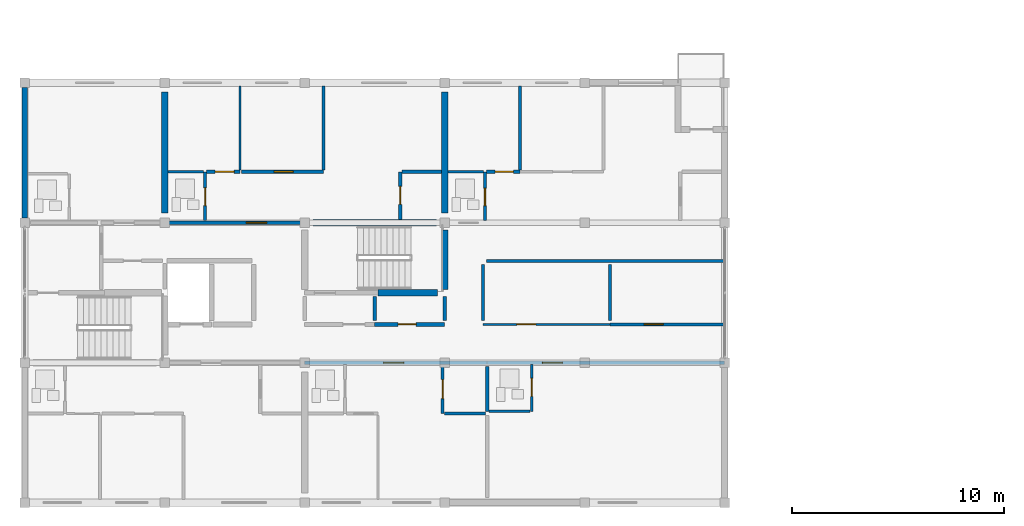
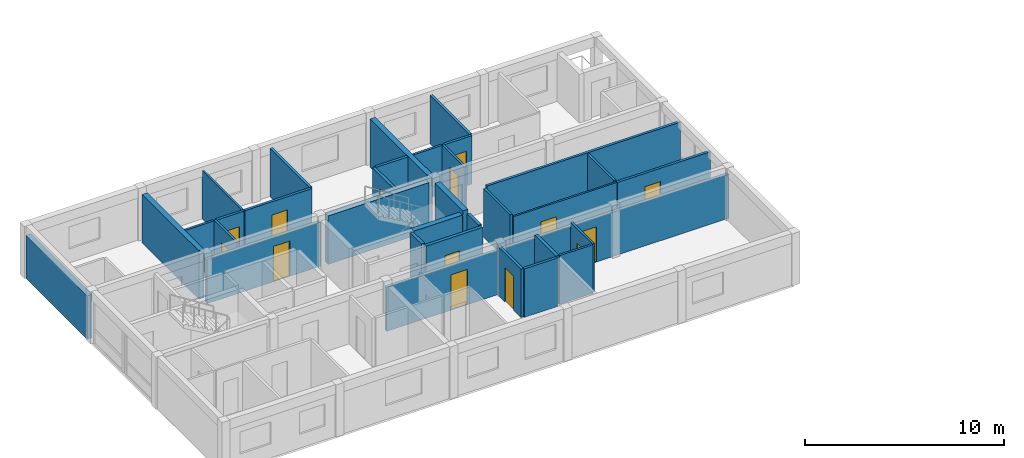
# One storey, part 21 of 34: 34 walls, 14 doors, 14 openings.
"""IFC4 building model written with IfcOpenShell, lengths in metres."""

from ifc_helpers import new_model, si_unit, direction, frame, frame_2d, origin, place, context, subcontext, project, spatial, rectangle, extrude, material, layer, layer_set, type_object, element, fill, save


model = new_model("IFC4")

# Units and contexts
model_context = context("Model", 3, precision=1e-05, world=origin(), true_north=direction((0.0, 1.0)))
body_context = subcontext(model_context, "Body", "Model", "MODEL_VIEW")
ifc_project = project(units=[si_unit("LENGTHUNIT", "METRE"), si_unit("AREAUNIT", "SQUARE_METRE"), si_unit("VOLUMEUNIT", "CUBIC_METRE"), si_unit("PLANEANGLEUNIT", "RADIAN"), si_unit("MASSUNIT", "GRAM", prefix="KILO")], contexts=[model_context])

# Site, building, storey
site_placement = place(None, origin())
site = spatial("IfcSite", under=ifc_project, at=site_placement, CompositionType="ELEMENT")
building_placement = place(site_placement, origin())
building = spatial("IfcBuilding", under=site, at=building_placement, Name="Kernevlak Ridge Housing Community", CompositionType="ELEMENT")
storey_placement = place(building_placement, frame((0.0, 0.0, 34.0)))
storey = spatial("IfcBuildingStorey", under=building, at=storey_placement, Name="L10", CompositionType="ELEMENT", Elevation=34.0)

# Wall
ifc_material_1 = material(Name="Concrete block masonry M10", Category="masonry")
ifc_layer_1 = layer(ifc_material_1, 0.280029296875, Name="Concrete block masonry M10")
ifc_layer_set_1 = layer_set([ifc_layer_1], Name="Concrete block masonry M10")
wall_type_1 = type_object("IfcWallType", Name="EW-03", PredefinedType="STANDARD", material=ifc_layer_set_1)
wall_1_placement = place(storey_placement, frame((15.60009765625, 89.425048828125, 0.0), z_axis=(0.0, 0.0, 1.0), x_axis=(0.0, 1.0, 0.0)))
element("IfcWall", 1, at=wall_1_placement, inside=storey, type_object=wall_type_1, Name="Exterior wall EW-03 L10 170", PredefinedType="STANDARD", context=body_context, shape_type="SweptSolid", body=[
    extrude(rectangle(XDim=6.14990234375, YDim=0.280029296875, at=frame_2d((3.074951171875, 0.0))), origin(), (0.0, 0.0, 1.0), 2.64990234375),
])

# Wall, opening, door
ifc_layer_2 = layer(ifc_material_1, 0.175048828125, Name="Concrete block masonry M10")
ifc_layer_set_2 = layer_set([ifc_layer_2], Name="Concrete block masonry M10")
wall_type_2 = type_object("IfcWallType", Name="PW-02", PredefinedType="PARTITIONING", material=ifc_layer_set_2)
wall_2_placement = place(storey_placement, frame((32.10009765625, 84.39990234375, 0.0), z_axis=(0.0, 0.0, 1.0), x_axis=(1.0, 0.0, 0.0)))
wall_2 = element("IfcWall", 2, at=wall_2_placement, inside=storey, type_object=wall_type_2, Name="Interior wall PW-02 WAL-INT-L10-0642", PredefinedType="PARTITIONING", context=body_context, shape_type="SweptSolid", body=[
    extrude(rectangle(XDim=3.2998046875, YDim=0.175048828125, at=frame_2d((1.64990234375, 0.0))), origin(), (0.0, 0.0, 1.0), 2.969970703125),
])
opening_1_placement = place(wall_2_placement, frame((1.10009765625, 0.0, 0.0)))
opening_1 = element("IfcOpeningElement", 3, at=opening_1_placement, cuts=wall_2, Name="Opening D324", PredefinedType="OPENING", context=body_context, shape_type="SweptSolid", body=[
    extrude(rectangle(XDim=0.85009765625, YDim=2.0, at=frame_2d((0.425048828125, 1.0))), frame((0.0, 0.097412109375, 0.0), z_axis=(0.0, -1.0, 0.0), x_axis=(1.0, 0.0, 0.0)), (0.0, 0.0, 1.0), 0.195068359375),
])
ifc_material_2 = material(Name="Fire-rated sheet steel leaf", Category="steel")
door_type_1 = type_object("IfcDoorType", Name="DT-07", OperationType="NOTDEFINED", PredefinedType="DOOR", material=ifc_material_2)
door_1_placement = place(opening_1_placement, origin())
door_1 = element("IfcDoor", 4, at=door_1_placement, inside=storey, type_object=door_type_1, Name="Block A Cleaner store door D324", OperationType="SINGLE_SWING_RIGHT", OverallHeight=2.0, OverallWidth=0.85009765625, PredefinedType="DOOR", context=body_context, shape_type="SweptSolid", body=[
    extrude(rectangle(XDim=0.85009765625, YDim=2.0, at=frame_2d((0.425048828125, 1.0))), frame((0.0, 0.02490234375, 0.0), z_axis=(0.0, -1.0, 0.0), x_axis=(1.0, 0.0, 0.0)), (0.0, 0.0, 1.0), 0.050048828125),
])
fill(opening_1, door_1)

# Walls
for number, where, z_axis, x_axis, name in (
    (5, (32.10009765625, 84.580078125, 0.0), (0.0, 0.0, 1.0), (0.0, 1.0, 0.0), "Interior wall PW-02 WAL-INT-L10-0644"),
    (6, (35.39990234375, 84.580078125, 0.0), (0.0, 0.0, 1.0), (0.0, 1.0, 0.0), "Interior wall PW-02 WAL-INT-L10-0645"),
):
    element("IfcWall", number, at=place(storey_placement, frame(where, z_axis=z_axis, x_axis=x_axis)), inside=storey, type_object=wall_type_2, Name=name, PredefinedType="PARTITIONING", context=body_context, shape_type="SweptSolid", body=[
        extrude(rectangle(XDim=1.139892578125, YDim=0.175048828125, at=frame_2d((0.56982421875, 0.0))), origin(), (0.0, 0.0, 1.0), 2.969970703125),
    ])

# Wall, opening, door
wall_3_placement = place(storey_placement, frame((28.800048828125, 82.60009765625, 0.0), z_axis=(0.0, 0.0, 1.0), x_axis=(1.0, 0.0, 0.0)))
wall_3 = element("IfcWall", 7, at=wall_3_placement, inside=storey, type_object=wall_type_2, Name="Interior wall PW-02 WAL-INT-L10-0660", PredefinedType="PARTITIONING", context=body_context, shape_type="SweptSolid", body=[
    extrude(rectangle(XDim=8.599853515625, YDim=0.175048828125, at=frame_2d((4.2998046875, 0.0))), origin(), (0.0, 0.0, 1.0), 2.699951171875),
])
opening_2_placement = place(wall_3_placement, frame((3.72509765625, 0.0, 0.0)))
opening_2 = element("IfcOpeningElement", 8, at=opening_2_placement, cuts=wall_3, Name="Opening D332", PredefinedType="OPENING", context=body_context, shape_type="SweptSolid", body=[
    extrude(rectangle(XDim=0.949951171875, YDim=2.159912109375, at=frame_2d((0.47509765625, 1.080078125))), frame((0.0, 0.097412109375, 0.0), z_axis=(0.0, -1.0, 0.0), x_axis=(1.0, 0.0, 0.0)), (0.0, 0.0, 1.0), 0.195068359375),
])
ifc_material_3 = material(Name="Hardwood timber solid-core fire leaf", Category="wood")
door_type_2 = type_object("IfcDoorType", Name="DT-02", OperationType="NOTDEFINED", PredefinedType="DOOR", material=ifc_material_3)
door_2_placement = place(opening_2_placement, origin())
door_2 = element("IfcDoor", 9, at=door_2_placement, inside=storey, type_object=door_type_2, Name="Flat A1012 entrance fire door D332", OperationType="SINGLE_SWING_RIGHT", OverallHeight=2.159912109375, OverallWidth=0.949951171875, PredefinedType="DOOR", context=body_context, shape_type="SweptSolid", body=[
    extrude(rectangle(XDim=0.949951171875, YDim=2.159912109375, at=frame_2d((0.47509765625, 1.080078125))), frame((0.0, 0.02490234375, 0.0), z_axis=(0.0, -1.0, 0.0), x_axis=(1.0, 0.0, 0.0)), (0.0, 0.0, 1.0), 0.050048828125),
])
fill(opening_2, door_2)

# Wall
wall_4_placement = place(storey_placement, frame((37.39990234375, 82.419921875, 0.0), z_axis=(0.0, 0.0, 1.0), x_axis=(0.0, -1.0, 0.0)))
element("IfcWall", 10, at=wall_4_placement, inside=storey, type_object=wall_type_2, Name="Interior wall PW-02 WAL-INT-L10-0667", PredefinedType="PARTITIONING", context=body_context, shape_type="SweptSolid", body=[
    extrude(rectangle(XDim=2.13232421875, YDim=0.175048828125, at=frame_2d((1.066162109375, 0.0))), origin(), (0.0, 0.0, 1.0), 2.969970703125),
])

# Wall, opening, door
wall_5_placement = place(storey_placement, frame((37.39990234375, 82.60009765625, 0.0), z_axis=(0.0, 0.0, 1.0), x_axis=(1.0, 0.0, 0.0)))
wall_5 = element("IfcWall", 11, at=wall_5_placement, inside=storey, type_object=wall_type_2, Name="Interior wall PW-02 WAL-INT-L10-0668", PredefinedType="PARTITIONING", context=body_context, shape_type="SweptSolid", body=[
    extrude(rectangle(XDim=11.2001953125, YDim=0.175048828125, at=frame_2d((5.60009765625, 0.0))), origin(), (0.0, 0.0, 1.0), 2.699951171875),
])
opening_3_placement = place(wall_5_placement, frame((2.60009765625, 0.0, 0.0)))
opening_3 = element("IfcOpeningElement", 12, at=opening_3_placement, cuts=wall_5, Name="Opening D336", PredefinedType="OPENING", context=body_context, shape_type="SweptSolid", body=[
    extrude(rectangle(XDim=0.949951171875, YDim=2.159912109375, at=frame_2d((0.47509765625, 1.080078125))), frame((0.0, 0.097412109375, 0.0), z_axis=(0.0, -1.0, 0.0), x_axis=(1.0, 0.0, 0.0)), (0.0, 0.0, 1.0), 0.195068359375),
])
door_3_placement = place(opening_3_placement, origin())
door_3 = element("IfcDoor", 13, at=door_3_placement, inside=storey, type_object=door_type_2, Name="Flat A1013 entrance fire door D336", OperationType="SINGLE_SWING_RIGHT", OverallHeight=2.159912109375, OverallWidth=0.949951171875, PredefinedType="DOOR", context=body_context, shape_type="SweptSolid", body=[
    extrude(rectangle(XDim=0.949951171875, YDim=2.159912109375, at=frame_2d((0.47509765625, 1.080078125))), frame((0.0, 0.02490234375, 0.0), z_axis=(0.0, -1.0, 0.0), x_axis=(1.0, 0.0, 0.0)), (0.0, 0.0, 1.0), 0.050048828125),
])
fill(opening_3, door_3)

wall_6_placement = place(storey_placement, frame((22.199951171875, 89.199951171875, 0.0), z_axis=(0.0, 0.0, 1.0), x_axis=(1.0, 0.0, 0.0)))
wall_6 = element("IfcWall", 14, at=wall_6_placement, inside=storey, type_object=wall_type_2, Name="Interior wall PW-02 WAL-INT-L10-0675", PredefinedType="PARTITIONING", context=body_context, shape_type="SweptSolid", body=[
    extrude(rectangle(XDim=6.60009765625, YDim=0.175048828125, at=frame_2d((3.300048828125, 0.0))), origin(), (0.0, 0.0, 1.0), 2.699951171875),
])
opening_4_placement = place(wall_6_placement, frame((3.85009765625, 0.0, 0.0)))
opening_4 = element("IfcOpeningElement", 15, at=opening_4_placement, cuts=wall_6, Name="Opening D340", PredefinedType="OPENING", context=body_context, shape_type="SweptSolid", body=[
    extrude(rectangle(XDim=0.949951171875, YDim=2.159912109375, at=frame_2d((0.47509765625, 1.080078125))), frame((0.0, 0.097412109375, 0.0), z_axis=(0.0, -1.0, 0.0), x_axis=(1.0, 0.0, 0.0)), (0.0, 0.0, 1.0), 0.195068359375),
])
door_4_placement = place(opening_4_placement, origin())
door_4 = element("IfcDoor", 16, at=door_4_placement, inside=storey, type_object=door_type_2, Name="Flat A1022 entrance fire door D340", OperationType="SINGLE_SWING_RIGHT", OverallHeight=2.159912109375, OverallWidth=0.949951171875, PredefinedType="DOOR", context=body_context, shape_type="SweptSolid", body=[
    extrude(rectangle(XDim=0.949951171875, YDim=2.159912109375, at=frame_2d((0.47509765625, 1.080078125))), frame((0.0, 0.02490234375, 0.0), z_axis=(0.0, -1.0, 0.0), x_axis=(1.0, 0.0, 0.0)), (0.0, 0.0, 1.0), 0.050048828125),
])
fill(opening_4, door_4)

ifc_layer_3 = layer(ifc_material_1, 0.14501953125, Name="Concrete block masonry M10")
ifc_layer_set_3 = layer_set([ifc_layer_3], Name="Concrete block masonry M10")
wall_type_3 = type_object("IfcWallType", Name="PW-03", PredefinedType="PARTITIONING", material=ifc_layer_set_3)
wall_7_placement = place(storey_placement, frame((43.199951171875, 84.39990234375, 0.0), z_axis=(0.0, 0.0, 1.0), x_axis=(1.0, 0.0, 0.0)))
wall_7 = element("IfcWall", 17, at=wall_7_placement, inside=storey, type_object=wall_type_3, Name="Interior wall PW-03 WAL-INT-L10-0647", PredefinedType="PARTITIONING", context=body_context, shape_type="SweptSolid", body=[
    extrude(rectangle(XDim=5.400146484375, YDim=0.14501953125, at=frame_2d((2.7001953125, 0.0))), origin(), (0.0, 0.0, 1.0), 2.969970703125),
])
opening_5_placement = place(wall_7_placement, frame((1.60009765625, 0.0, 0.0)))
opening_5 = element("IfcOpeningElement", 18, at=opening_5_placement, cuts=wall_7, Name="Opening D326", PredefinedType="OPENING", context=body_context, shape_type="SweptSolid", body=[
    extrude(rectangle(XDim=0.89990234375, YDim=2.159912109375, at=frame_2d((0.449951171875, 1.080078125))), frame((0.0, 0.08251953125, 0.0), z_axis=(0.0, -1.0, 0.0), x_axis=(1.0, 0.0, 0.0)), (0.0, 0.0, 1.0), 0.1650390625),
])
ifc_material_4 = material(Name="Hardwood timber leaf", Category="wood")
door_type_3 = type_object("IfcDoorType", Name="DT-22", OperationType="NOTDEFINED", PredefinedType="DOOR", material=ifc_material_4)
door_5_placement = place(opening_5_placement, origin())
door_5 = element("IfcDoor", 19, at=door_5_placement, inside=storey, type_object=door_type_3, Name="Block A Study room door D326", OperationType="SINGLE_SWING_RIGHT", OverallHeight=2.159912109375, OverallWidth=0.89990234375, PredefinedType="DOOR", context=body_context, shape_type="SweptSolid", body=[
    extrude(rectangle(XDim=0.89990234375, YDim=2.159912109375, at=frame_2d((0.449951171875, 1.080078125))), frame((0.0, 0.02490234375, 0.0), z_axis=(0.0, -1.0, 0.0), x_axis=(1.0, 0.0, 0.0)), (0.0, 0.0, 1.0), 0.050048828125),
])
fill(opening_5, door_5)

# Walls
wall_8_placement = place(storey_placement, frame((43.199951171875, 84.580078125, 0.0), z_axis=(0.0, 0.0, 1.0), x_axis=(0.0, 1.0, 0.0)))
element("IfcWall", 20, at=wall_8_placement, inside=storey, type_object=wall_type_3, Name="Interior wall PW-03 WAL-INT-L10-0648", PredefinedType="PARTITIONING", context=body_context, shape_type="SweptSolid", body=[
    extrude(rectangle(XDim=2.639892578125, YDim=0.14501953125, at=frame_2d((1.31982421875, 0.0))), origin(), (0.0, 0.0, 1.0), 2.969970703125),
])
wall_9_placement = place(storey_placement, frame((37.3798828125, 87.39990234375, 0.0), z_axis=(0.0, 0.0, 1.0), x_axis=(1.0, 0.0, 0.0)))
element("IfcWall", 21, at=wall_9_placement, inside=storey, type_object=wall_type_3, Name="Interior wall PW-03 WAL-INT-L10-0649", PredefinedType="PARTITIONING", context=body_context, shape_type="SweptSolid", body=[
    extrude(rectangle(XDim=11.2001953125, YDim=0.14501953125, at=frame_2d((5.60009765625, 0.0))), origin(), (0.0, 0.0, 1.0), 2.969970703125),
])
wall_10_placement = place(storey_placement, frame((37.199951171875, 84.580078125, 0.0), z_axis=(0.0, 0.0, 1.0), x_axis=(0.0, 1.0, 0.0)))
element("IfcWall", 22, at=wall_10_placement, inside=storey, type_object=wall_type_3, Name="Interior wall PW-03 WAL-INT-L10-0650", PredefinedType="PARTITIONING", context=body_context, shape_type="SweptSolid", body=[
    extrude(rectangle(XDim=2.639892578125, YDim=0.14501953125, at=frame_2d((1.31982421875, 0.0))), origin(), (0.0, 0.0, 1.0), 2.969970703125),
])

# Wall, opening, door
wall_11_placement = place(storey_placement, frame((24.172607421875, 91.60009765625, 0.0), z_axis=(0.0, 0.0, 1.0), x_axis=(1.0, 0.0, 0.0)))
wall_11 = element("IfcWall", 23, at=wall_11_placement, inside=storey, type_object=wall_type_3, Name="Interior wall PW-03 WAL-INT-L10-0680", PredefinedType="PARTITIONING", context=body_context, shape_type="SweptSolid", body=[
    extrude(rectangle(XDim=1.577392578125, YDim=0.14501953125, at=frame_2d((0.78857421875, 0.0))), origin(), (0.0, 0.0, 1.0), 2.969970703125),
])
opening_6_placement = place(wall_11_placement, frame((0.39990234375, 0.0, 0.0)))
opening_6 = element("IfcOpeningElement", 24, at=opening_6_placement, cuts=wall_11, Name="Opening D343", PredefinedType="OPENING", context=body_context, shape_type="SweptSolid", body=[
    extrude(rectangle(XDim=0.89990234375, YDim=2.10009765625, at=frame_2d((0.449951171875, 1.050048828125))), frame((0.0, 0.08251953125, 0.0), z_axis=(0.0, -1.0, 0.0), x_axis=(1.0, 0.0, 0.0)), (0.0, 0.0, 1.0), 0.1650390625),
])
door_type_4 = type_object("IfcDoorType", Name="DT-21", OperationType="NOTDEFINED", PredefinedType="DOOR", material=ifc_material_4)
door_6_placement = place(opening_6_placement, origin())
door_6 = element("IfcDoor", 25, at=door_6_placement, inside=storey, type_object=door_type_4, Name="Flat A1022 bedroom door D343", OperationType="SINGLE_SWING_LEFT", OverallHeight=2.10009765625, OverallWidth=0.89990234375, PredefinedType="DOOR", context=body_context, shape_type="SweptSolid", body=[
    extrude(rectangle(XDim=0.89990234375, YDim=2.10009765625, at=frame_2d((0.449951171875, 1.050048828125))), frame((0.0, 0.02490234375, 0.0), z_axis=(0.0, -1.0, 0.0), x_axis=(1.0, 0.0, 0.0)), (0.0, 0.0, 1.0), 0.050048828125),
])
fill(opening_6, door_6)

wall_12_placement = place(storey_placement, frame((25.8125, 91.60009765625, 0.0), z_axis=(0.0, 0.0, 1.0), x_axis=(1.0, 0.0, 0.0)))
wall_12 = element("IfcWall", 26, at=wall_12_placement, inside=storey, type_object=wall_type_3, Name="Interior wall PW-03 WAL-INT-L10-0682", PredefinedType="PARTITIONING", context=body_context, shape_type="SweptSolid", body=[
    extrude(rectangle(XDim=3.87939453125, YDim=0.14501953125, at=frame_2d((1.939697265625, 0.0))), origin(), (0.0, 0.0, 1.0), 2.969970703125),
])
opening_7_placement = place(wall_12_placement, frame((1.5458984375, 0.0, 0.0)))
opening_7 = element("IfcOpeningElement", 27, at=opening_7_placement, cuts=wall_12, Name="Opening D344", PredefinedType="OPENING", context=body_context, shape_type="SweptSolid", body=[
    extrude(rectangle(XDim=0.89990234375, YDim=2.159912109375, at=frame_2d((0.449951171875, 1.080078125))), frame((0.0, 0.08251953125, 0.0), z_axis=(0.0, -1.0, 0.0), x_axis=(1.0, 0.0, 0.0)), (0.0, 0.0, 1.0), 0.1650390625),
])
door_7_placement = place(opening_7_placement, origin())
door_7 = element("IfcDoor", 28, at=door_7_placement, inside=storey, type_object=door_type_3, Name="Flat A1022 bedroom door D344", OperationType="SINGLE_SWING_RIGHT", OverallHeight=2.159912109375, OverallWidth=0.89990234375, PredefinedType="DOOR", context=body_context, shape_type="SweptSolid", body=[
    extrude(rectangle(XDim=0.89990234375, YDim=2.159912109375, at=frame_2d((0.449951171875, 1.080078125))), frame((0.0, 0.02490234375, 0.0), z_axis=(0.0, -1.0, 0.0), x_axis=(1.0, 0.0, 0.0)), (0.0, 0.0, 1.0), 0.050048828125),
])
fill(opening_7, door_7)

# Wall
wall_13_placement = place(storey_placement, frame((29.69189453125, 91.6826171875, 0.0), z_axis=(0.0, 0.0, 1.0), x_axis=(0.0, 1.0, 0.0)))
element("IfcWall", 29, at=wall_13_placement, inside=storey, type_object=wall_type_3, Name="Interior wall PW-03 WAL-INT-L10-0683", PredefinedType="PARTITIONING", context=body_context, shape_type="SweptSolid", body=[
    extrude(rectangle(XDim=3.96728515625, YDim=0.14501953125, at=frame_2d((1.983642578125, 0.0))), origin(), (0.0, 0.0, 1.0), 2.969970703125),
])

# Wall, opening, door
wall_14_placement = place(storey_placement, frame((37.37255859375, 91.60009765625, 0.0), z_axis=(0.0, 0.0, 1.0), x_axis=(1.0, 0.0, 0.0)))
wall_14 = element("IfcWall", 30, at=wall_14_placement, inside=storey, type_object=wall_type_3, Name="Interior wall PW-03 WAL-INT-L10-0689", PredefinedType="PARTITIONING", context=body_context, shape_type="SweptSolid", body=[
    extrude(rectangle(XDim=1.577392578125, YDim=0.14501953125, at=frame_2d((0.78857421875, 0.0))), origin(), (0.0, 0.0, 1.0), 2.969970703125),
])
opening_8_placement = place(wall_14_placement, frame((0.39990234375, 0.0, 0.0)))
opening_8 = element("IfcOpeningElement", 31, at=opening_8_placement, cuts=wall_14, Name="Opening D348", PredefinedType="OPENING", context=body_context, shape_type="SweptSolid", body=[
    extrude(rectangle(XDim=0.860107421875, YDim=2.1201171875, at=frame_2d((0.43017578125, 1.06005859375))), frame((0.0, 0.08251953125, 0.0), z_axis=(0.0, -1.0, 0.0), x_axis=(1.0, 0.0, 0.0)), (0.0, 0.0, 1.0), 0.1650390625),
])
door_type_5 = type_object("IfcDoorType", Name="DT-28", OperationType="NOTDEFINED", PredefinedType="DOOR", material=ifc_material_4)
door_8_placement = place(opening_8_placement, origin())
door_8 = element("IfcDoor", 32, at=door_8_placement, inside=storey, type_object=door_type_5, Name="Flat A1023 bedroom door D348", OperationType="SINGLE_SWING_RIGHT", OverallHeight=2.1201171875, OverallWidth=0.860107421875, PredefinedType="DOOR", context=body_context, shape_type="SweptSolid", body=[
    extrude(rectangle(XDim=0.860107421875, YDim=2.1201171875, at=frame_2d((0.43017578125, 1.06005859375))), frame((0.0, 0.02490234375, 0.0), z_axis=(0.0, -1.0, 0.0), x_axis=(1.0, 0.0, 0.0)), (0.0, 0.0, 1.0), 0.050048828125),
])
fill(opening_8, door_8)

# Wall
wall_15_placement = place(storey_placement, frame((38.949951171875, 91.6826171875, 0.0), z_axis=(0.0, 0.0, 1.0), x_axis=(0.0, 1.0, 0.0)))
element("IfcWall", 33, at=wall_15_placement, inside=storey, type_object=wall_type_3, Name="Interior wall PW-03 WAL-INT-L10-0690", PredefinedType="PARTITIONING", context=body_context, shape_type="SweptSolid", body=[
    extrude(rectangle(XDim=3.96728515625, YDim=0.14501953125, at=frame_2d((1.983642578125, 0.0))), origin(), (0.0, 0.0, 1.0), 2.969970703125),
])

# Wall, opening, door
ifc_material_5 = material(Name="Gypsum plasterboard EN 520", Category="gypsum")
ifc_layer_4 = layer(ifc_material_5, 0.125, Name="Gypsum plasterboard EN 520")
ifc_layer_set_4 = layer_set([ifc_layer_4], Name="Gypsum plasterboard EN 520")
wall_type_4 = type_object("IfcWallType", Name="PW-04", PredefinedType="PARTITIONING", material=ifc_layer_set_4)
wall_16_placement = place(storey_placement, frame((39.5, 82.50244140625, 0.0), z_axis=(0.0, 0.0, 1.0), x_axis=(0.0, -1.0, 0.0)))
wall_16 = element("IfcWall", 34, at=wall_16_placement, inside=storey, type_object=wall_type_4, Name="Interior wall PW-04 WAL-INT-L10-0669", PredefinedType="PARTITIONING", context=body_context, shape_type="SweptSolid", body=[
    extrude(rectangle(XDim=2.202392578125, YDim=0.125, at=frame_2d((1.10107421875, 0.0))), origin(), (0.0, 0.0, 1.0), 2.969970703125),
])
opening_9_placement = place(wall_16_placement, frame((0.64990234375, 0.0, 0.0)))
opening_9 = element("IfcOpeningElement", 35, at=opening_9_placement, cuts=wall_16, Name="Opening D337", PredefinedType="OPENING", context=body_context, shape_type="SweptSolid", body=[
    extrude(rectangle(XDim=0.840087890625, YDim=2.06005859375, at=frame_2d((0.419921875, 1.030029296875))), frame((0.0, 0.072509765625, 0.0), z_axis=(0.0, -1.0, 0.0), x_axis=(1.0, 0.0, 0.0)), (0.0, 0.0, 1.0), 0.14501953125),
])
ifc_material_6 = material(Name="Hardwood timber moisture-resistant leaf", Category="wood")
door_type_6 = type_object("IfcDoorType", Name="DT-27", OperationType="NOTDEFINED", PredefinedType="DOOR", material=ifc_material_6)
door_9_placement = place(opening_9_placement, origin())
door_9 = element("IfcDoor", 36, at=door_9_placement, inside=storey, type_object=door_type_6, Name="Flat A1013 bathroom door D337", OperationType="SINGLE_SWING_LEFT", OverallHeight=2.06005859375, OverallWidth=0.840087890625, PredefinedType="DOOR", context=body_context, shape_type="SweptSolid", body=[
    extrude(rectangle(XDim=0.840087890625, YDim=2.06005859375, at=frame_2d((0.419921875, 1.030029296875))), frame((0.0, 0.02490234375, 0.0), z_axis=(0.0, -1.0, 0.0), x_axis=(1.0, 0.0, 0.0)), (0.0, 0.0, 1.0), 0.050048828125),
])
fill(opening_9, door_9)

# Wall
wall_17_placement = place(storey_placement, frame((37.49755859375, 80.300048828125, 0.0), z_axis=(0.0, 0.0, 1.0), x_axis=(1.0, 0.0, 0.0)))
element("IfcWall", 37, at=wall_17_placement, inside=storey, type_object=wall_type_4, Name="Interior wall PW-04 WAL-INT-L10-0670", PredefinedType="PARTITIONING", context=body_context, shape_type="SweptSolid", body=[
    extrude(rectangle(XDim=1.92236328125, YDim=0.125, at=frame_2d((0.961181640625, 0.0))), origin(), (0.0, 0.0, 1.0), 2.969970703125),
])

# Wall, opening, door
wall_18_placement = place(storey_placement, frame((24.10009765625, 89.297607421875, 0.0), z_axis=(0.0, 0.0, 1.0), x_axis=(0.0, 1.0, 0.0)))
wall_18 = element("IfcWall", 38, at=wall_18_placement, inside=storey, type_object=wall_type_4, Name="Interior wall PW-04 WAL-INT-L10-0676", PredefinedType="PARTITIONING", context=body_context, shape_type="SweptSolid", body=[
    extrude(rectangle(XDim=2.302490234375, YDim=0.125, at=frame_2d((1.1513671875, 0.0))), origin(), (0.0, 0.0, 1.0), 2.969970703125),
])
opening_10_placement = place(wall_18_placement, frame((0.699951171875, 0.0, 0.0)))
opening_10 = element("IfcOpeningElement", 39, at=opening_10_placement, cuts=wall_18, Name="Opening D341", PredefinedType="OPENING", context=body_context, shape_type="SweptSolid", body=[
    extrude(rectangle(XDim=0.840087890625, YDim=2.06005859375, at=frame_2d((0.419921875, 1.030029296875))), frame((0.0, 0.072509765625, 0.0), z_axis=(0.0, -1.0, 0.0), x_axis=(1.0, 0.0, 0.0)), (0.0, 0.0, 1.0), 0.14501953125),
])
door_10_placement = place(opening_10_placement, origin())
door_10 = element("IfcDoor", 40, at=door_10_placement, inside=storey, type_object=door_type_6, Name="Flat A1022 bathroom door D341", OperationType="SINGLE_SWING_LEFT", OverallHeight=2.06005859375, OverallWidth=0.840087890625, PredefinedType="DOOR", context=body_context, shape_type="SweptSolid", body=[
    extrude(rectangle(XDim=0.840087890625, YDim=2.06005859375, at=frame_2d((0.419921875, 1.030029296875))), frame((0.0, 0.02490234375, 0.0), z_axis=(0.0, -1.0, 0.0), x_axis=(1.0, 0.0, 0.0)), (0.0, 0.0, 1.0), 0.050048828125),
])
fill(opening_10, door_10)

# Wall
wall_19_placement = place(storey_placement, frame((22.360107421875, 91.60009765625, 0.0), z_axis=(0.0, 0.0, 1.0), x_axis=(1.0, 0.0, 0.0)))
element("IfcWall", 41, at=wall_19_placement, inside=storey, type_object=wall_type_4, Name="Interior wall PW-04 WAL-INT-L10-0677", PredefinedType="PARTITIONING", context=body_context, shape_type="SweptSolid", body=[
    extrude(rectangle(XDim=1.659912109375, YDim=0.125, at=frame_2d((0.830078125, 0.0))), origin(), (0.0, 0.0, 1.0), 2.969970703125),
])

# Wall, opening, door
wall_20_placement = place(storey_placement, frame((37.300048828125, 89.297607421875, 0.0), z_axis=(0.0, 0.0, 1.0), x_axis=(0.0, 1.0, 0.0)))
wall_20 = element("IfcWall", 42, at=wall_20_placement, inside=storey, type_object=wall_type_4, Name="Interior wall PW-04 WAL-INT-L10-0685", PredefinedType="PARTITIONING", context=body_context, shape_type="SweptSolid", body=[
    extrude(rectangle(XDim=2.302490234375, YDim=0.125, at=frame_2d((1.1513671875, 0.0))), origin(), (0.0, 0.0, 1.0), 2.969970703125),
])
opening_11_placement = place(wall_20_placement, frame((0.699951171875, 0.0, 0.0)))
opening_11 = element("IfcOpeningElement", 43, at=opening_11_placement, cuts=wall_20, Name="Opening D346", PredefinedType="OPENING", context=body_context, shape_type="SweptSolid", body=[
    extrude(rectangle(XDim=0.820068359375, YDim=2.050048828125, at=frame_2d((0.41015625, 1.02490234375))), frame((0.0, 0.072509765625, 0.0), z_axis=(0.0, -1.0, 0.0), x_axis=(1.0, 0.0, 0.0)), (0.0, 0.0, 1.0), 0.14501953125),
])
door_type_7 = type_object("IfcDoorType", Name="DT-30", OperationType="NOTDEFINED", PredefinedType="DOOR", material=ifc_material_6)
door_11_placement = place(opening_11_placement, origin())
door_11 = element("IfcDoor", 44, at=door_11_placement, inside=storey, type_object=door_type_7, Name="Flat A1023 bathroom door D346", OperationType="SINGLE_SWING_RIGHT", OverallHeight=2.050048828125, OverallWidth=0.820068359375, PredefinedType="DOOR", context=body_context, shape_type="SweptSolid", body=[
    extrude(rectangle(XDim=0.820068359375, YDim=2.050048828125, at=frame_2d((0.41015625, 1.02490234375))), frame((0.0, 0.02490234375, 0.0), z_axis=(0.0, -1.0, 0.0), x_axis=(1.0, 0.0, 0.0)), (0.0, 0.0, 1.0), 0.050048828125),
])
fill(opening_11, door_11)

# Wall
wall_21_placement = place(storey_placement, frame((35.56005859375, 91.60009765625, 0.0), z_axis=(0.0, 0.0, 1.0), x_axis=(1.0, 0.0, 0.0)))
element("IfcWall", 45, at=wall_21_placement, inside=storey, type_object=wall_type_4, Name="Interior wall PW-04 WAL-INT-L10-0686", PredefinedType="PARTITIONING", context=body_context, shape_type="SweptSolid", body=[
    extrude(rectangle(XDim=1.659912109375, YDim=0.125, at=frame_2d((0.830078125, 0.0))), origin(), (0.0, 0.0, 1.0), 2.969970703125),
])

# Wall, opening, door
ifc_layer_5 = layer(ifc_material_5, 0.155029296875, Name="Gypsum plasterboard EN 520")
ifc_layer_set_5 = layer_set([ifc_layer_5], Name="Gypsum plasterboard EN 520")
wall_type_5 = type_object("IfcWallType", Name="PW-05", PredefinedType="PARTITIONING", material=ifc_layer_set_5)
wall_22_placement = place(storey_placement, frame((35.300048828125, 82.50244140625, 0.0), z_axis=(0.0, 0.0, 1.0), x_axis=(0.0, -1.0, 0.0)))
wall_22 = element("IfcWall", 46, at=wall_22_placement, inside=storey, type_object=wall_type_5, Name="Interior wall PW-05 WAL-INT-L10-0663", PredefinedType="PARTITIONING", context=body_context, shape_type="SweptSolid", body=[
    extrude(rectangle(XDim=2.302490234375, YDim=0.155029296875, at=frame_2d((1.1513671875, 0.0))), origin(), (0.0, 0.0, 1.0), 2.969970703125),
])
opening_12_placement = place(wall_22_placement, frame((0.699951171875, 0.0, 0.0)))
opening_12 = element("IfcOpeningElement", 47, at=opening_12_placement, cuts=wall_22, Name="Opening D334", PredefinedType="OPENING", context=body_context, shape_type="SweptSolid", body=[
    extrude(rectangle(XDim=0.89990234375, YDim=2.10009765625, at=frame_2d((0.449951171875, 1.050048828125))), frame((0.0, 0.08740234375, 0.0), z_axis=(0.0, -1.0, 0.0), x_axis=(1.0, 0.0, 0.0)), (0.0, 0.0, 1.0), 0.175048828125),
])
door_12_placement = place(opening_12_placement, origin())
door_12 = element("IfcDoor", 48, at=door_12_placement, inside=storey, type_object=door_type_4, Name="Flat A1012 kitchen door D334", OperationType="SINGLE_SWING_RIGHT", OverallHeight=2.10009765625, OverallWidth=0.89990234375, PredefinedType="DOOR", context=body_context, shape_type="SweptSolid", body=[
    extrude(rectangle(XDim=0.89990234375, YDim=2.10009765625, at=frame_2d((0.449951171875, 1.050048828125))), frame((0.0, 0.02490234375, 0.0), z_axis=(0.0, -1.0, 0.0), x_axis=(1.0, 0.0, 0.0)), (0.0, 0.0, 1.0), 0.050048828125),
])
fill(opening_12, door_12)

# Wall
wall_23_placement = place(storey_placement, frame((35.387451171875, 80.199951171875, 0.0), z_axis=(0.0, 0.0, 1.0), x_axis=(1.0, 0.0, 0.0)))
element("IfcWall", 49, at=wall_23_placement, inside=storey, type_object=wall_type_5, Name="Interior wall PW-05 WAL-INT-L10-0664", PredefinedType="PARTITIONING", context=body_context, shape_type="SweptSolid", body=[
    extrude(rectangle(XDim=1.9326171875, YDim=0.155029296875, at=frame_2d((0.96630859375, 0.0))), origin(), (0.0, 0.0, 1.0), 2.969970703125),
])

# Wall, opening, door
wall_24_placement = place(storey_placement, frame((33.300048828125, 89.360107421875, 0.0), z_axis=(0.0, 0.0, 1.0), x_axis=(0.0, 1.0, 0.0)))
wall_24 = element("IfcWall", 50, at=wall_24_placement, inside=storey, type_object=wall_type_5, Name="Interior wall PW-05 WAL-INT-L10-0678", PredefinedType="PARTITIONING", context=body_context, shape_type="SweptSolid", body=[
    extrude(rectangle(XDim=2.239990234375, YDim=0.155029296875, at=frame_2d((1.1201171875, 0.0))), origin(), (0.0, 0.0, 1.0), 2.969970703125),
])
opening_13_placement = place(wall_24_placement, frame((0.699951171875, 0.0, 0.0)))
opening_13 = element("IfcOpeningElement", 51, at=opening_13_placement, cuts=wall_24, Name="Opening D342", PredefinedType="OPENING", context=body_context, shape_type="SweptSolid", body=[
    extrude(rectangle(XDim=0.85009765625, YDim=2.10009765625, at=frame_2d((0.425048828125, 1.050048828125))), frame((0.0, 0.08740234375, 0.0), z_axis=(0.0, -1.0, 0.0), x_axis=(1.0, 0.0, 0.0)), (0.0, 0.0, 1.0), 0.175048828125),
])
door_type_8 = type_object("IfcDoorType", Name="DT-03", OperationType="NOTDEFINED", PredefinedType="DOOR", material=ifc_material_4)
door_13_placement = place(opening_13_placement, origin())
door_13 = element("IfcDoor", 52, at=door_13_placement, inside=storey, type_object=door_type_8, Name="Flat A1022 kitchen door D342", OperationType="SINGLE_SWING_RIGHT", OverallHeight=2.10009765625, OverallWidth=0.85009765625, PredefinedType="DOOR", context=body_context, shape_type="SweptSolid", body=[
    extrude(rectangle(XDim=0.85009765625, YDim=2.10009765625, at=frame_2d((0.425048828125, 1.050048828125))), frame((0.0, 0.02490234375, 0.0), z_axis=(0.0, -1.0, 0.0), x_axis=(1.0, 0.0, 0.0)), (0.0, 0.0, 1.0), 0.050048828125),
])
fill(opening_13, door_13)

# Wall
wall_25_placement = place(storey_placement, frame((33.387451171875, 91.60009765625, 0.0), z_axis=(0.0, 0.0, 1.0), x_axis=(1.0, 0.0, 0.0)))
element("IfcWall", 53, at=wall_25_placement, inside=storey, type_object=wall_type_5, Name="Interior wall PW-05 WAL-INT-L10-0679", PredefinedType="PARTITIONING", context=body_context, shape_type="SweptSolid", body=[
    extrude(rectangle(XDim=1.8525390625, YDim=0.155029296875, at=frame_2d((0.92626953125, 0.0))), origin(), (0.0, 0.0, 1.0), 2.969970703125),
])

# Wall, opening, door
ifc_layer_6 = layer(ifc_material_5, 0.10498046875, Name="Gypsum plasterboard EN 520")
ifc_layer_set_6 = layer_set([ifc_layer_6], Name="Gypsum plasterboard EN 520")
wall_type_6 = type_object("IfcWallType", Name="PW-06", PredefinedType="PARTITIONING", material=ifc_layer_set_6)
wall_26_placement = place(storey_placement, frame((37.199951171875, 84.39990234375, 0.0), z_axis=(0.0, 0.0, 1.0), x_axis=(1.0, 0.0, 0.0)))
wall_26 = element("IfcWall", 54, at=wall_26_placement, inside=storey, type_object=wall_type_6, Name="Interior wall PW-06 WAL-INT-L10-0646", PredefinedType="PARTITIONING", context=body_context, shape_type="SweptSolid", body=[
    extrude(rectangle(XDim=6.0, YDim=0.10498046875, at=frame_2d((3.0, 0.0))), origin(), (0.0, 0.0, 1.0), 2.969970703125),
])
opening_14_placement = place(wall_26_placement, frame((1.60009765625, 0.0, 0.0)))
opening_14 = element("IfcOpeningElement", 55, at=opening_14_placement, cuts=wall_26, Name="Opening D325", PredefinedType="OPENING", context=body_context, shape_type="SweptSolid", body=[
    extrude(rectangle(XDim=0.89990234375, YDim=2.10009765625, at=frame_2d((0.449951171875, 1.050048828125))), frame((0.0, 0.0625, 0.0), z_axis=(0.0, -1.0, 0.0), x_axis=(1.0, 0.0, 0.0)), (0.0, 0.0, 1.0), 0.125),
])
door_14_placement = place(opening_14_placement, origin())
door_14 = element("IfcDoor", 56, at=door_14_placement, inside=storey, type_object=door_type_4, Name="Block A Laundry room door D325", OperationType="SINGLE_SWING_LEFT", OverallHeight=2.10009765625, OverallWidth=0.89990234375, PredefinedType="DOOR", context=body_context, shape_type="SweptSolid", body=[
    extrude(rectangle(XDim=0.89990234375, YDim=2.10009765625, at=frame_2d((0.449951171875, 1.050048828125))), frame((0.0, 0.02490234375, 0.0), z_axis=(0.0, -1.0, 0.0), x_axis=(1.0, 0.0, 0.0)), (0.0, 0.0, 1.0), 0.050048828125),
])
fill(opening_14, door_14)

# Walls
wall_27_placement = place(storey_placement, frame((25.75, 91.6826171875, 0.0), z_axis=(0.0, 0.0, 1.0), x_axis=(0.0, 1.0, 0.0)))
element("IfcWall", 57, at=wall_27_placement, inside=storey, type_object=wall_type_6, Name="Interior wall PW-06 WAL-INT-L10-0681", PredefinedType="PARTITIONING", context=body_context, shape_type="SweptSolid", body=[
    extrude(rectangle(XDim=3.96728515625, YDim=0.10498046875, at=frame_2d((1.983642578125, 0.0))), origin(), (0.0, 0.0, 1.0), 2.969970703125),
])
ifc_material_7 = material(Name="Concrete C40/50", Category="concrete")
ifc_layer_7 = layer(ifc_material_7, 0.300048828125, Name="Concrete C40/50")
ifc_layer_set_7 = layer_set([ifc_layer_7], Name="Concrete C40/50")
wall_type_7 = type_object("IfcWallType", Name="SW-02", PredefinedType="SHEAR", material=ifc_layer_set_7)
wall_28_placement = place(storey_placement, frame((29.179931640625, 89.199951171875, 0.0), z_axis=(0.0, 0.0, 1.0), x_axis=(1.0, 0.0, 0.0)))
element("IfcWall", 58, at=wall_28_placement, inside=storey, type_object=wall_type_7, Name="Shear wall SW-02 Block A L10 114", PredefinedType="SHEAR", context=body_context, shape_type="SweptSolid", body=[
    extrude(rectangle(XDim=5.840087890625, YDim=0.300048828125, at=frame_2d((2.919921875, 0.0))), origin(), (0.0, 0.0, 1.0), 2.969970703125),
])
for number, where, z_axis, x_axis, name in (
    (59, (32.25, 85.89990234375, 0.0), (0.0, 0.0, 1.0), (1.0, 0.0, 0.0), "Shear wall SW-02 Block A L10 115"),
    (60, (35.39990234375, 86.050048828125, 0.0), (0.0, 0.0, 1.0), (0.0, 1.0, 0.0), "Shear wall SW-02 Block A L10 117"),
):
    element("IfcWall", number, at=place(storey_placement, frame(where, z_axis=z_axis, x_axis=x_axis)), inside=storey, type_object=wall_type_7, Name=name, PredefinedType="SHEAR", context=body_context, shape_type="SweptSolid", body=[
        extrude(rectangle(XDim=2.800048828125, YDim=0.300048828125, at=frame_2d((1.39990234375, 0.0))), origin(), (0.0, 0.0, 1.0), 2.969970703125),
    ])
for number, where, z_axis, x_axis, name in (
    (61, (22.199951171875, 89.64990234375, 0.0), (0.0, 0.0, 1.0), (0.0, 1.0, 0.0), "Shear wall SW-02 Block A L10 119"),
    (62, (35.39990234375, 89.64990234375, 0.0), (0.0, 0.0, 1.0), (0.0, 1.0, 0.0), "Shear wall SW-02 Block A L10 120"),
):
    element("IfcWall", number, at=place(storey_placement, frame(where, z_axis=z_axis, x_axis=x_axis)), inside=storey, type_object=wall_type_7, Name=name, PredefinedType="SHEAR", context=body_context, shape_type="SweptSolid", body=[
        extrude(rectangle(XDim=5.7001953125, YDim=0.300048828125, at=frame_2d((2.85009765625, 0.0))), origin(), (0.0, 0.0, 1.0), 2.969970703125),
    ])

save(model, "model.ifc")
